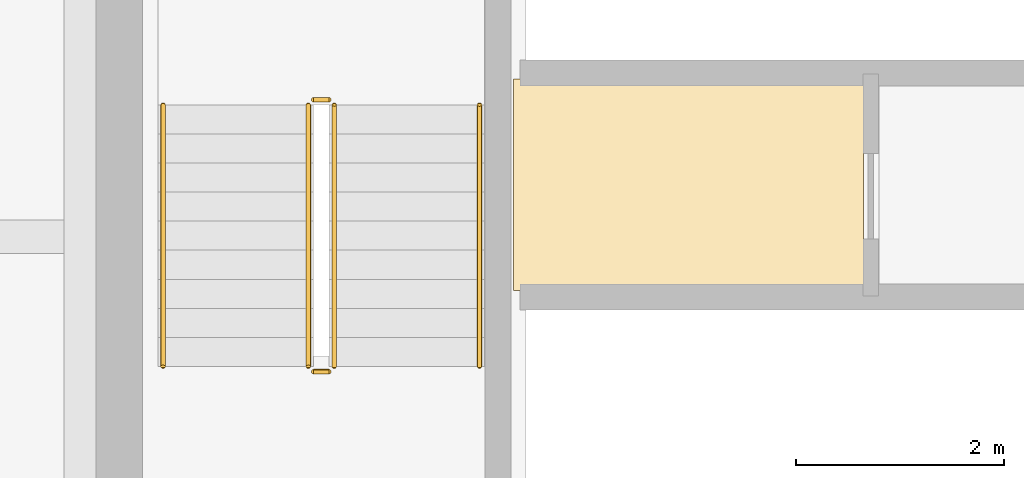
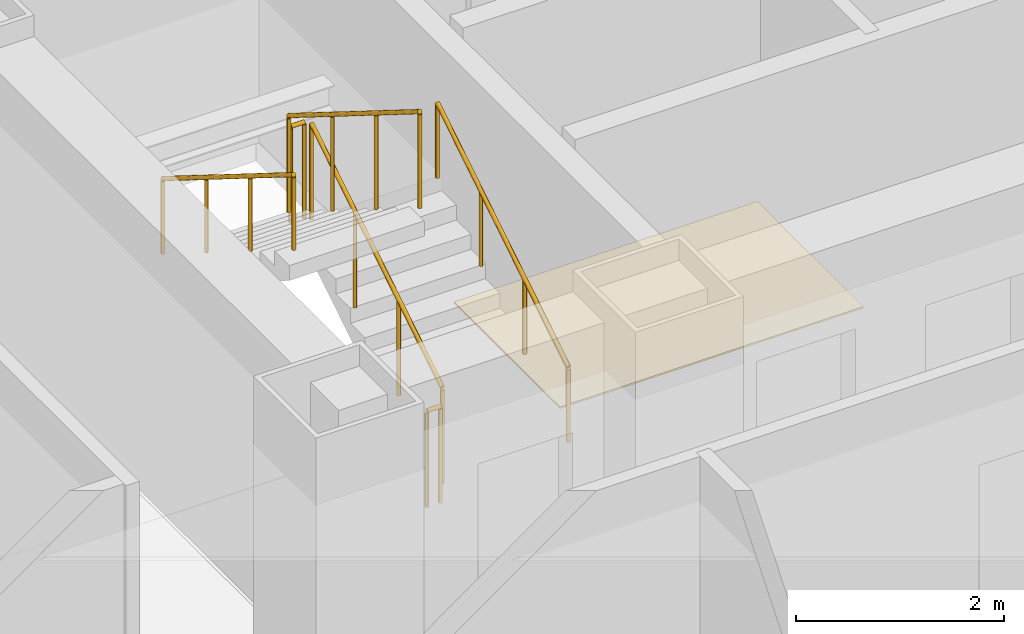
# One storey, part 18 of 21: 6 railings, 1 covering.
"""IFC4 building model written with IfcOpenShell, lengths in metres."""

from ifc_helpers import new_model, si_unit, direction, frame, origin, origin_2d, place, context, subcontext, project, spatial, polyline, circle, outline, extrude, material, layer, layer_set, type_object, element, save


model = new_model("IFC4")

# Units and contexts
model_context = context("Model", 3, precision=1e-05, world=origin(), true_north=direction((0.0, 1.0)))
body_context = subcontext(model_context, "Body", "Model", "MODEL_VIEW")
ifc_project = project(units=[si_unit("LENGTHUNIT", "METRE"), si_unit("AREAUNIT", "SQUARE_METRE"), si_unit("VOLUMEUNIT", "CUBIC_METRE"), si_unit("PLANEANGLEUNIT", "RADIAN"), si_unit("MASSUNIT", "GRAM", prefix="KILO")], contexts=[model_context])

# Site, building, storey
site_placement = place(None, origin())
site = spatial("IfcSite", under=ifc_project, at=site_placement, CompositionType="ELEMENT")
building_placement = place(site_placement, origin())
building = spatial("IfcBuilding", under=site, at=building_placement, Name="Trevonay Congress Spire", CompositionType="ELEMENT")
storey_placement = place(building_placement, frame((0.0, 0.0, 37.5)))
storey = spatial("IfcBuildingStorey", under=building, at=storey_placement, Name="L08", CompositionType="ELEMENT", Elevation=37.5)

# Covering
ifc_material_1 = material(Name="Polished Granite Floor Tile", Category="masonry")
ifc_layer = layer(ifc_material_1, 0.02001953125, Name="Polished Granite Floor Tile")
ifc_layer_set = layer_set([ifc_layer], Name="Polished Granite Floor Tile")
covering_type = type_object("IfcCoveringType", Name="COV-FLOOR-STONE", PredefinedType="FLOORING", material=ifc_layer_set)
covering_placement = place(storey_placement, origin())
element("IfcCovering", 1, at=covering_placement, inside=storey, type_object=covering_type, Name="L08 Cleaner and Linen Closet floor finish", PredefinedType="FLOORING", context=body_context, shape_type="SweptSolid", body=[
    extrude(outline(polyline([(-3.320068359375, -4.52001953125), (0.050048828125, -4.52001953125), (0.050048828125, -2.47998046875), (-3.320068359375, -2.47998046875), (-3.320068359375, -4.52001953125)])), origin(), (0.0, 0.0, 1.0), 0.02001953125),
])

# Railings
ifc_material_2 = material(Name="Pale Anodised Aluminium EN AW-6063-T6", Category="aluminium")
railing_type_1 = type_object("IfcRailingType", Name="RAL-STAIR-GUARD-110", PredefinedType="GUARDRAIL", material=ifc_material_2)
railing_1_placement = place(storey_placement, frame((-5.050048828125, -5.25, 0.175048828125)))
element("IfcRailing", 2, at=railing_1_placement, inside=storey, type_object=railing_type_1, Name="L08 ST-1 stair guard 1", PredefinedType="GUARDRAIL", context=body_context, shape_type="SweptSolid", body=[
    extrude(circle(Radius=0.02392578125, at=origin_2d()), frame((0.0, 0.0, 1.1259765625), z_axis=(0.0, 0.848007534815, 0.529984170421), x_axis=(-1.0, 0.0, 0.0)), (0.0, 0.0, 1.0), 2.9716796875),
    extrude(circle(Radius=0.02099609375, at=origin_2d()), origin(), (0.0, 0.0, 1.0), 1.101806640625),
    extrude(circle(Radius=0.02099609375, at=origin_2d()), frame((0.0, 0.840087890625, 0.52490234375)), (0.0, 0.0, 1.0), 1.101806640625),
    extrude(circle(Radius=0.02099609375, at=origin_2d()), frame((0.0, 1.679931640625, 1.050048828125)), (0.0, 0.0, 1.0), 1.101806640625),
    extrude(circle(Radius=0.02099609375, at=origin_2d()), frame((0.0, 2.52001953125, 1.574951171875)), (0.0, 0.0, 1.0), 1.101806640625),
])
railing_2_placement = place(storey_placement, frame((-5.10009765625, -2.679931640625, 1.75)))
element("IfcRailing", 3, at=railing_2_placement, inside=storey, type_object=railing_type_1, Name="L08 ST-1 stair guard 2", PredefinedType="GUARDRAIL", context=body_context, shape_type="SweptSolid", body=[
    extrude(circle(Radius=0.02392578125, at=origin_2d()), frame((0.0, 0.0, 1.1259765625), z_axis=(-1.0, 0.0, 0.0), x_axis=(0.0, -1.0, 0.0)), (0.0, 0.0, 1.0), 0.14990234375),
    extrude(circle(Radius=0.02099609375, at=origin_2d()), origin(), (0.0, 0.0, 1.0), 1.101806640625),
    extrude(circle(Radius=0.02099609375, at=origin_2d()), frame((-0.14990234375, 0.0, 0.0)), (0.0, 0.0, 1.0), 1.101806640625),
])
railing_3_placement = place(storey_placement, frame((-5.300048828125, -2.72998046875, 1.925048828125)))
element("IfcRailing", 4, at=railing_3_placement, inside=storey, type_object=railing_type_1, Name="L08 ST-1 stair guard 3", PredefinedType="GUARDRAIL", context=body_context, shape_type="SweptSolid", body=[
    extrude(circle(Radius=0.02392578125, at=origin_2d()), frame((0.0, 0.0, 1.1259765625), z_axis=(0.0, -0.848007534815, 0.529984170421), x_axis=(1.0, 0.0, 0.0)), (0.0, 0.0, 1.0), 2.9716796875),
    extrude(circle(Radius=0.02099609375, at=origin_2d()), origin(), (0.0, 0.0, 1.0), 1.101806640625),
    extrude(circle(Radius=0.02099609375, at=origin_2d()), frame((0.0, -0.840087890625, 0.52490234375)), (0.0, 0.0, 1.0), 1.101806640625),
    extrude(circle(Radius=0.02099609375, at=origin_2d()), frame((0.0, -1.679931640625, 1.050048828125)), (0.0, 0.0, 1.0), 1.101806640625),
    extrude(circle(Radius=0.02099609375, at=origin_2d()), frame((0.0, -2.52001953125, 1.574951171875)), (0.0, 0.0, 1.0), 1.101806640625),
])
railing_4_placement = place(storey_placement, frame((-5.10009765625, -5.300048828125, 0.0)))
element("IfcRailing", 5, at=railing_4_placement, inside=storey, type_object=railing_type_1, Name="L08 ST-1 stair guard 4", PredefinedType="GUARDRAIL", context=body_context, shape_type="SweptSolid", body=[
    extrude(circle(Radius=0.02392578125, at=origin_2d()), frame((0.0, 0.0, 1.1259765625), z_axis=(-1.0, 0.0, 0.0), x_axis=(0.0, -1.0, 0.0)), (0.0, 0.0, 1.0), 0.14990234375),
    extrude(circle(Radius=0.02099609375, at=origin_2d()), origin(), (0.0, 0.0, 1.0), 1.101806640625),
    extrude(circle(Radius=0.02099609375, at=origin_2d()), frame((-0.14990234375, 0.0, 0.0)), (0.0, 0.0, 1.0), 1.101806640625),
])
railing_type_2 = type_object("IfcRailingType", Name="RAL-STAIR-HANDRAIL", PredefinedType="HANDRAIL", material=ifc_material_2)
railing_5_placement = place(storey_placement, frame((-3.64990234375, -5.25, 0.175048828125)))
element("IfcRailing", 6, at=railing_5_placement, inside=storey, type_object=railing_type_2, Name="L08 ST-1 stair handrail 1", PredefinedType="HANDRAIL", context=body_context, shape_type="SweptSolid", body=[
    extrude(circle(Radius=0.02392578125, at=origin_2d()), frame((0.0, 0.0, 0.8759765625), z_axis=(0.0, 0.848007534815, 0.529984170421), x_axis=(-1.0, 0.0, 0.0)), (0.0, 0.0, 1.0), 2.9716796875),
    extrude(circle(Radius=0.02099609375, at=origin_2d()), origin(), (0.0, 0.0, 1.0), 0.851806640625),
    extrude(circle(Radius=0.02099609375, at=origin_2d()), frame((0.0, 0.840087890625, 0.52490234375)), (0.0, 0.0, 1.0), 0.851806640625),
    extrude(circle(Radius=0.02099609375, at=origin_2d()), frame((0.0, 1.679931640625, 1.050048828125)), (0.0, 0.0, 1.0), 0.851806640625),
    extrude(circle(Radius=0.02099609375, at=origin_2d()), frame((0.0, 2.52001953125, 1.574951171875)), (0.0, 0.0, 1.0), 0.851806640625),
])
railing_6_placement = place(storey_placement, frame((-6.699951171875, -2.72998046875, 1.925048828125)))
element("IfcRailing", 7, at=railing_6_placement, inside=storey, type_object=railing_type_2, Name="L08 ST-1 stair handrail 2", PredefinedType="HANDRAIL", context=body_context, shape_type="SweptSolid", body=[
    extrude(circle(Radius=0.02392578125, at=origin_2d()), frame((0.0, 0.0, 0.8759765625), z_axis=(0.0, -0.848007534815, 0.529984170421), x_axis=(1.0, 0.0, 0.0)), (0.0, 0.0, 1.0), 2.9716796875),
    extrude(circle(Radius=0.02099609375, at=origin_2d()), origin(), (0.0, 0.0, 1.0), 0.851806640625),
    extrude(circle(Radius=0.02099609375, at=origin_2d()), frame((0.0, -0.840087890625, 0.52490234375)), (0.0, 0.0, 1.0), 0.851806640625),
    extrude(circle(Radius=0.02099609375, at=origin_2d()), frame((0.0, -1.679931640625, 1.050048828125)), (0.0, 0.0, 1.0), 0.851806640625),
    extrude(circle(Radius=0.02099609375, at=origin_2d()), frame((0.0, -2.52001953125, 1.574951171875)), (0.0, 0.0, 1.0), 0.851806640625),
])

save(model, "model.ifc")
